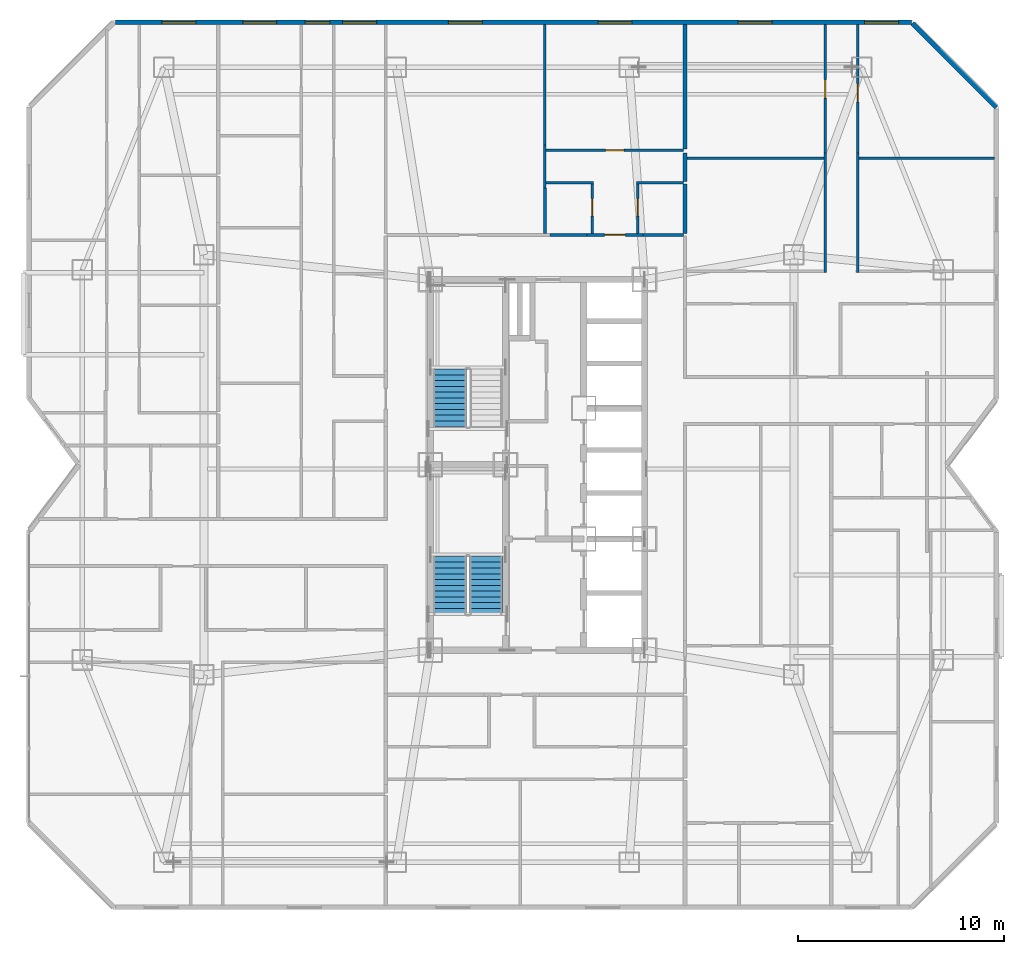
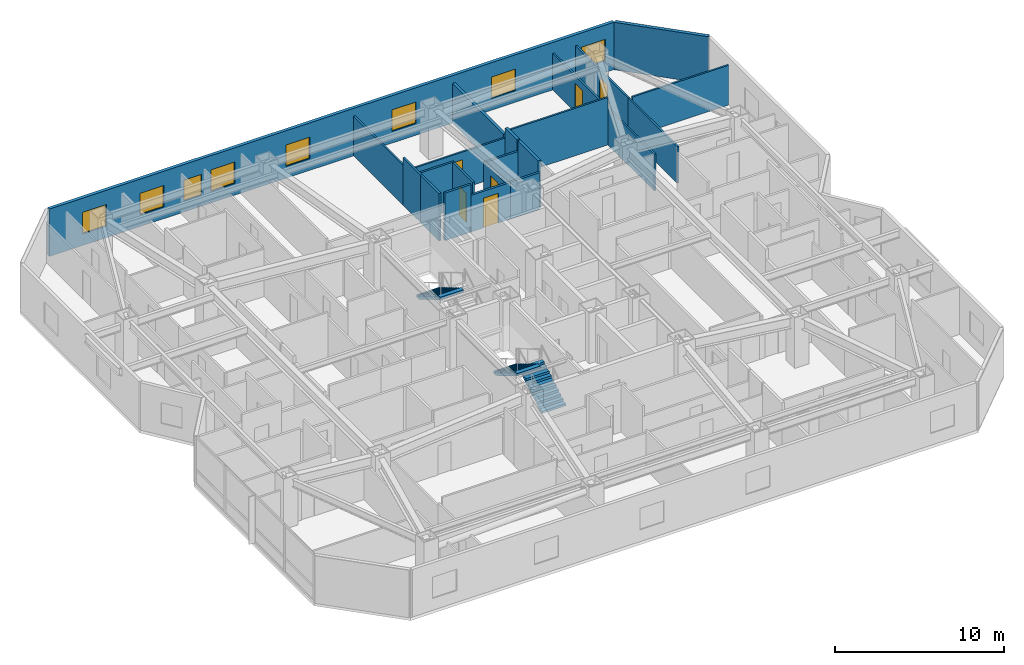
# One storey, part 16 of 19: 22 walls, 8 windows, 6 doors, 3 stair flights, 14 openings, 2 elements without a shape of their own.
"""IFC4 building model written with IfcOpenShell, lengths in metres."""

import ifcopenshell
import ifcopenshell.guid

model = None  # the IFC model being written
_history = None  # IfcOwnerHistory: only IFC2X3 demands one
_inside = {}  # id of a spatial element -> (the spatial element, [elements in it])
_under = {}  # id of a project, library or spatial element -> (it, [spatial elements below it])
_declared = {}  # id of a project -> (the project, [libraries it declares])
_typed = {}  # id of a type object -> (the type object, [elements of that type])
_made_of = {}  # id of a material, layer set ... -> (it, [elements and type objects made of it])


def new_model(schema):
    """Start an empty IFC model of exactly this schema.

    Asked for "IFC4X3", IfcOpenShell would pick the latest addendum, in which some entities
    have other attributes; the version numbers below select the first issue.
    IFC2X3 requires an IfcOwnerHistory on every rooted entity: one is made here for all.
    """
    global model, _history
    if schema == "IFC4X3":
        model = ifcopenshell.file(schema_version=(4, 3, 0, 0))
    else:
        model = ifcopenshell.file(schema=schema)
    _inside.clear()
    _under.clear()
    _declared.clear()
    _typed.clear()
    _made_of.clear()
    _history = None
    if model.schema == "IFC2X3":
        org = make("IfcOrganization", Name="unknown")
        user = make(
            "IfcPersonAndOrganization",
            ThePerson=make("IfcPerson", FamilyName="unknown"),
            TheOrganization=org,
        )
        app = make(
            "IfcApplication",
            ApplicationDeveloper=org,
            Version="unknown",
            ApplicationFullName="unknown",
            ApplicationIdentifier="unknown",
        )
        _history = make(
            "IfcOwnerHistory",
            OwningUser=user,
            OwningApplication=app,
            ChangeAction="ADDED",
            CreationDate=0,
        )
    return model


def make(cls, **values):
    """One entity of the class cls with the attributes given. An attribute that is None is left unset."""
    return model.create_entity(
        cls, **{name: value for name, value in values.items() if value is not None}
    )


def rooted(cls, **values):
    """An entity with a GlobalId (a new one), such as an element, a storey or a relation."""
    return make(cls, GlobalId=ifcopenshell.guid.new(), OwnerHistory=_history, **values)


def si_unit(unit_type, name, prefix=None):
    """IfcSIUnit, for example si_unit("LENGTHUNIT", "METRE", prefix="MILLI")."""
    return make("IfcSIUnit", UnitType=unit_type, Prefix=prefix, Name=name)


def assignment(units):
    """IfcUnitAssignment: the units of a project."""
    return None if units is None else make("IfcUnitAssignment", Units=units)


def point(xyz):
    """IfcCartesianPoint."""
    return None if xyz is None else make("IfcCartesianPoint", Coordinates=xyz)


def direction(xyz):
    """IfcDirection."""
    return None if xyz is None else make("IfcDirection", DirectionRatios=xyz)


def frame(location, z_axis=None, x_axis=None):
    """IfcAxis2Placement3D, a coordinate frame: its origin and axes. An axis left out is left unset."""
    return make(
        "IfcAxis2Placement3D",
        Location=point(location),
        Axis=direction(z_axis),
        RefDirection=direction(x_axis),
    )


def frame_2d(location, x_axis=None):
    """IfcAxis2Placement2D, a coordinate frame in the plane: its origin and x axis."""
    return make(
        "IfcAxis2Placement2D", Location=point(location), RefDirection=direction(x_axis)
    )


def origin():
    """The frame at (0, 0, 0) with its axes left unset."""
    return frame((0.0, 0.0, 0.0))


def place(relative_to, where):
    """IfcLocalPlacement: puts the frame where relative to a parent placement (None: the world)."""
    return make(
        "IfcLocalPlacement", PlacementRelTo=relative_to, RelativePlacement=where
    )


def context(
    kind, dimensions, precision=None, world=None, true_north=None, identifier=None
):
    """IfcGeometricRepresentationContext, for example the 3D "Model" context."""
    return make(
        "IfcGeometricRepresentationContext",
        ContextIdentifier=identifier,
        ContextType=kind,
        CoordinateSpaceDimension=dimensions,
        Precision=precision,
        WorldCoordinateSystem=world,
        TrueNorth=true_north,
    )


def subcontext(parent, identifier, kind, view, scale=None):
    """IfcGeometricRepresentationSubContext, for example "Body" below "Model"."""
    return make(
        "IfcGeometricRepresentationSubContext",
        ContextIdentifier=identifier,
        ContextType=kind,
        ParentContext=parent,
        TargetScale=scale,
        TargetView=view,
    )


def project(units=None, contexts=None):
    """IfcProject with its units and contexts."""
    return rooted(
        "IfcProject",
        Name="project",
        RepresentationContexts=contexts,
        UnitsInContext=assignment(units),
    )


def spatial(cls, under=None, at=None, **own):
    """A site, building, storey or space (cls), placed at a placement, below another one or the project."""
    s = rooted(cls, ObjectPlacement=at, **own)
    if under is not None:
        _under.setdefault(under.id(), (under, []))[1].append(s)
    return s


def polyline(points):
    """IfcPolyline through the points."""
    return make("IfcPolyline", Points=[point(p) for p in points])


def profile(cls, at=None, kind="AREA", **sizes):
    """A parametric profile (cls). Its sizes go by their IFC names, for example OverallWidth=200.0."""
    return make(cls, ProfileType=kind, Position=at, **sizes)


def rectangle(**sizes):
    """IfcRectangleProfileDef."""
    return profile("IfcRectangleProfileDef", **sizes)


def outline(outer, holes=None, kind="AREA"):
    """IfcArbitraryClosedProfileDef: a profile drawn as a closed curve; with holes, ...WithVoids."""
    if holes is None:
        return make("IfcArbitraryClosedProfileDef", ProfileType=kind, OuterCurve=outer)
    return make(
        "IfcArbitraryProfileDefWithVoids",
        ProfileType=kind,
        OuterCurve=outer,
        InnerCurves=holes,
    )


def extrude(swept, where, along, depth):
    """IfcExtrudedAreaSolid: the profile swept, set in the frame where, extruded along a direction by depth."""
    return make(
        "IfcExtrudedAreaSolid",
        SweptArea=swept,
        Position=where,
        ExtrudedDirection=direction(along),
        Depth=depth,
    )


def shape(context_of_items, identifier, shape_type, items):
    """IfcShapeRepresentation: the items that make up one representation, for example the "Body"."""
    return make(
        "IfcShapeRepresentation",
        ContextOfItems=context_of_items,
        RepresentationIdentifier=identifier,
        RepresentationType=shape_type,
        Items=items,
    )


def material(Name=None, Category=None):
    """IfcMaterial."""
    return make("IfcMaterial", Name=Name, Category=Category)


def layer(
    of_material, thickness, ventilated=None, Name=None, Category=None, Priority=None
):
    """IfcMaterialLayer: one layer of a wall or slab, of a material (None: an air gap)."""
    return make(
        "IfcMaterialLayer",
        Material=of_material,
        LayerThickness=thickness,
        IsVentilated=ventilated,
        Name=Name,
        Category=Category,
        Priority=Priority,
    )


def layer_set(layers, Name=None):
    """IfcMaterialLayerSet."""
    return make("IfcMaterialLayerSet", MaterialLayers=layers, LayerSetName=Name)


def made_of(thing, what):
    """Note that an element or type object is made of a material, layer set ...; save() writes the relation."""
    if what is not None:
        _made_of.setdefault(what.id(), (what, []))[1].append(thing)
    return thing


def type_object(cls, material=None, **own):
    """A type object (cls), such as IfcWallType, which elements share."""
    return made_of(rooted(cls, **own), material)


def element(
    cls,
    number,
    at=None,
    inside=None,
    cuts=None,
    type_object=None,
    material=None,
    context=None,
    identifier="Body",
    shape_type=None,
    held_by="IfcProductDefinitionShape",
    body=None,
    shapes=None,
    **own,
):
    """One element of the class cls, such as IfcWall. Its Tag is "e" and its number.

    at: its placement. inside: the storey or other place that contains it. cuts: it is an
    opening in that element (IfcRelVoidsElement). A single representation is given by context,
    identifier, shape_type and body (its items); several are given by shapes. held_by: the class
    of the entity that holds the representations. save() writes the other relations.
    """
    e = rooted(cls, Tag="e%d" % number, ObjectPlacement=at, **own)
    if body is not None:
        shapes = [shape(context, identifier, shape_type, body)]
    if shapes is not None:
        e.Representation = make(held_by, Representations=shapes)
    if inside is not None:
        _inside.setdefault(inside.id(), (inside, []))[1].append(e)
    if cuts is not None:
        rooted(
            "IfcRelVoidsElement", RelatingBuildingElement=cuts, RelatedOpeningElement=e
        )
    if type_object is not None:
        _typed.setdefault(type_object.id(), (type_object, []))[1].append(e)
    return made_of(e, material)


def fill(opening, filler):
    """IfcRelFillsElement: the door or window that sits in an opening."""
    return rooted(
        "IfcRelFillsElement",
        RelatingOpeningElement=opening,
        RelatedBuildingElement=filler,
    )


def aggregate(whole, parts):
    """IfcRelAggregates: a whole, such as a stair, and the parts it consists of."""
    return rooted("IfcRelAggregates", RelatingObject=whole, RelatedObjects=parts)


def save(model, path):
    """Write the relations noted so far, then the file.

    IfcRelAggregates (storeys below a building ...), IfcRelContainedInSpatialStructure (elements
    in a storey), IfcRelDefinesByType, IfcRelAssociatesMaterial and IfcRelDeclares: one each for
    every whole, place, type object, material and project.
    """
    for whole, parts in _under.values():
        aggregate(whole, parts)
    for where, things in _inside.values():
        rooted(
            "IfcRelContainedInSpatialStructure",
            RelatedElements=things,
            RelatingStructure=where,
        )
    for kind, things in _typed.values():
        rooted("IfcRelDefinesByType", RelatedObjects=things, RelatingType=kind)
    for what, things in _made_of.values():
        rooted("IfcRelAssociatesMaterial", RelatedObjects=things, RelatingMaterial=what)
    for by, libraries in _declared.values():
        rooted("IfcRelDeclares", RelatingContext=by, RelatedDefinitions=libraries)
    model.write(path)


model = new_model("IFC4")

# Units and contexts
model_context = context("Model", 3, precision=1e-05, world=origin(), true_north=direction((0.0, 1.0)))
body_context = subcontext(model_context, "Body", "Model", "MODEL_VIEW")
ifc_project = project(units=[si_unit("LENGTHUNIT", "METRE"), si_unit("AREAUNIT", "SQUARE_METRE"), si_unit("VOLUMEUNIT", "CUBIC_METRE"), si_unit("PLANEANGLEUNIT", "RADIAN"), si_unit("MASSUNIT", "GRAM", prefix="KILO")], contexts=[model_context])

# Site, building, storey
site_placement = place(None, origin())
site = spatial("IfcSite", under=ifc_project, at=site_placement, CompositionType="ELEMENT")
building_placement = place(site_placement, origin())
building = spatial("IfcBuilding", under=site, at=building_placement, Name="Khamvora Tower", CompositionType="ELEMENT")
storey_placement = place(building_placement, frame((0.0, 0.0, 120.14990234375)))
storey = spatial("IfcBuildingStorey", under=building, at=storey_placement, Name="L30", CompositionType="ELEMENT", Elevation=120.14990234375)

# Wall, opening, door
ifc_material_1 = material(Name="Fire-Rated Drywall and Steel Stud", Category="steel")
ifc_layer_1 = layer(ifc_material_1, 0.14990234375)
ifc_layer_set_1 = layer_set([ifc_layer_1], Name="Fire-Rated Drywall and Steel Stud")
wall_type_1 = type_object("IfcWallType", Name="WAL-CORR-150", PredefinedType="STANDARD", material=ifc_layer_set_1)
wall_1_placement = place(storey_placement, frame((36.615966796875, 39.1650390625, 0.0), z_axis=(0.0, 0.0, 1.0), x_axis=(1.0, 0.0, 0.0)))
wall_1 = element("IfcWall", 1, at=wall_1_placement, inside=storey, type_object=wall_type_1, Name="L30 interior partition wall 027", PredefinedType="STANDARD", context=body_context, shape_type="SweptSolid", body=[
    extrude(rectangle(XDim=2.697998046875, YDim=0.14990234375, at=frame_2d((1.34912109375, 0.0))), origin(), (0.0, 0.0, 1.0), 2.647216796875),
])
opening_1_placement = place(wall_1_placement, frame((0.84912109375, 0.0, 0.0)))
opening_1 = element("IfcOpeningElement", 2, at=opening_1_placement, cuts=wall_1, Name="Opening D-U1", PredefinedType="OPENING", context=body_context, shape_type="SweptSolid", body=[
    extrude(rectangle(XDim=1.0, YDim=2.14990234375, at=frame_2d((0.5, 1.074951171875))), frame((0.0, 0.0849609375, 0.0), z_axis=(0.0, -1.0, 0.0), x_axis=(1.0, 0.0, 0.0)), (0.0, 0.0, 1.0), 0.169921875),
])
ifc_material_2 = material(Name="Powder-Coated Steel and Hardwood Leaf", Category="steel")
door_type_1 = type_object("IfcDoorType", Name="DOR-UNIT-1000", OperationType="NOTDEFINED", PredefinedType="DOOR", material=ifc_material_2)
door_1_placement = place(opening_1_placement, origin())
door_1 = element("IfcDoor", 3, at=door_1_placement, inside=storey, type_object=door_type_1, Name="L30 interior door COR-30NAH", OperationType="SINGLE_SWING_RIGHT", OverallHeight=2.14990234375, OverallWidth=1.0, PredefinedType="DOOR", context=body_context, shape_type="SweptSolid", body=[
    extrude(rectangle(XDim=1.0, YDim=2.14990234375, at=frame_2d((0.5, 1.074951171875))), frame((0.0, 0.02490234375, 0.0), z_axis=(0.0, -1.0, 0.0), x_axis=(1.0, 0.0, 0.0)), (0.0, 0.0, 1.0), 0.050048828125),
])
fill(opening_1, door_1)

# Walls
wall_2_placement = place(storey_placement, frame((39.31396484375, 39.1650390625, 0.0), z_axis=(0.0, 0.0, 1.0), x_axis=(1.0, 0.0, 0.0)))
element("IfcWall", 4, at=wall_2_placement, inside=storey, type_object=wall_type_1, Name="L30 interior partition wall 028", PredefinedType="STANDARD", context=body_context, shape_type="SweptSolid", body=[
    extrude(rectangle(XDim=1.986083984375, YDim=0.14990234375, at=frame_2d((0.9931640625, 0.0))), origin(), (0.0, 0.0, 1.0), 2.647216796875),
])
wall_3_placement = place(storey_placement, frame((34.81396484375, 39.1650390625, 0.0), z_axis=(0.0, 0.0, 1.0), x_axis=(1.0, 0.0, 0.0)))
element("IfcWall", 5, at=wall_3_placement, inside=storey, type_object=wall_type_1, Name="L30 interior partition wall 029", PredefinedType="STANDARD", context=body_context, shape_type="SweptSolid", body=[
    extrude(rectangle(XDim=1.802001953125, YDim=0.14990234375, at=frame_2d((0.90087890625, 0.0))), origin(), (0.0, 0.0, 1.0), 3.43017578125),
])
ifc_material_3 = material(Name="Acoustic Double-Stud Fire Wall", Category="gypsum")
ifc_layer_2 = layer(ifc_material_3, 0.179931640625)
ifc_layer_set_2 = layer_set([ifc_layer_2], Name="Acoustic Double-Stud Fire Wall")
wall_type_2 = type_object("IfcWallType", Name="WAL-CORR-180", PredefinedType="STANDARD", material=ifc_layer_set_2)
wall_4_placement = place(storey_placement, frame((41.364990234375, 43.133056640625, 0.0), z_axis=(0.0, 0.0, 1.0), x_axis=(0.0, -1.0, 0.0)))
element("IfcWall", 6, at=wall_4_placement, inside=storey, type_object=wall_type_2, Name="L30 interior partition wall 115", PredefinedType="STANDARD", context=body_context, shape_type="SweptSolid", body=[
    extrude(rectangle(XDim=1.373046875, YDim=0.179931640625, at=frame_2d((0.6865234375, 0.0))), origin(), (0.0, 0.0, 1.0), 3.43017578125),
])
wall_5_placement = place(storey_placement, frame((41.364990234375, 41.6298828125, 0.0), z_axis=(0.0, 0.0, 1.0), x_axis=(0.0, -1.0, 0.0)))
element("IfcWall", 7, at=wall_5_placement, inside=storey, type_object=wall_type_2, Name="L30 interior partition wall 116", PredefinedType="STANDARD", context=body_context, shape_type="SweptSolid", body=[
    extrude(rectangle(XDim=2.39990234375, YDim=0.179931640625, at=frame_2d((1.199951171875, 0.0))), origin(), (0.0, 0.0, 1.0), 3.43017578125),
])
wall_6_placement = place(storey_placement, frame((41.364990234375, 49.387939453125, 0.0), z_axis=(0.0, 0.0, 1.0), x_axis=(0.0, -1.0, 0.0)))
element("IfcWall", 8, at=wall_6_placement, inside=storey, type_object=wall_type_2, Name="L30 interior partition wall 117", PredefinedType="STANDARD", context=body_context, shape_type="SweptSolid", body=[
    extrude(rectangle(XDim=6.0478515625, YDim=0.179931640625, at=frame_2d((3.02392578125, 0.0))), origin(), (0.0, 0.0, 1.0), 2.8759765625),
])

# Wall, openings, windows
ifc_material_4 = material(Name="Precast concrete C40/50", Category="concrete")
ifc_layer_3 = layer(ifc_material_4, 0.219970703125)
ifc_layer_set_3 = layer_set([ifc_layer_3], Name="Precast concrete C40/50")
wall_type_3 = type_object("IfcWallType", Name="WAL-EXT-220", PredefinedType="STANDARD", material=ifc_layer_set_3)
wall_7_placement = place(storey_placement, frame((13.715087890625, 49.489990234375, 0.0), z_axis=(0.0, 0.0, 1.0), x_axis=(1.0, 0.0, 0.0)))
wall_7 = element("IfcWall", 9, at=wall_7_placement, inside=storey, type_object=wall_type_3, Name="L30 exterior facade wall 07.1", PredefinedType="STANDARD", context=body_context, shape_type="SweptSolid", body=[
    extrude(rectangle(XDim=38.638916015625, YDim=0.219970703125, at=frame_2d((19.3193359375, 0.0))), origin(), (0.0, 0.0, 1.0), 3.43017578125),
])
opening_2_placement = place(wall_7_placement, frame((16.159912109375, 0.0, 0.85009765625)))
opening_2 = element("IfcOpeningElement", 10, at=opening_2_placement, cuts=wall_7, Name="Opening WN-06", PredefinedType="OPENING", context=body_context, shape_type="SweptSolid", body=[
    extrude(rectangle(XDim=1.64990234375, YDim=1.550048828125, at=frame_2d((0.824951171875, 0.77490234375))), frame((0.0, 0.119873046875, 0.0), z_axis=(0.0, -1.0, 0.0), x_axis=(1.0, 0.0, 0.0)), (0.0, 0.0, 1.0), 0.239990234375),
])
opening_3_placement = place(wall_7_placement, frame((2.242919921875, 0.0, 0.85009765625)))
opening_3 = element("IfcOpeningElement", 11, at=opening_3_placement, cuts=wall_7, Name="Opening WN-06", PredefinedType="OPENING", context=body_context, shape_type="SweptSolid", body=[
    extrude(rectangle(XDim=1.64990234375, YDim=1.550048828125, at=frame_2d((0.824951171875, 0.77490234375))), frame((0.0, 0.119873046875, 0.0), z_axis=(0.0, -1.0, 0.0), x_axis=(1.0, 0.0, 0.0)), (0.0, 0.0, 1.0), 0.239990234375),
])
opening_4_placement = place(wall_7_placement, frame((11.030029296875, 0.0, 0.85009765625)))
opening_4 = element("IfcOpeningElement", 12, at=opening_4_placement, cuts=wall_7, Name="Opening WN-06", PredefinedType="OPENING", context=body_context, shape_type="SweptSolid", body=[
    extrude(rectangle(XDim=1.64990234375, YDim=1.550048828125, at=frame_2d((0.824951171875, 0.77490234375))), frame((0.0, 0.119873046875, 0.0), z_axis=(0.0, -1.0, 0.0), x_axis=(1.0, 0.0, 0.0)), (0.0, 0.0, 1.0), 0.239990234375),
])
opening_5_placement = place(wall_7_placement, frame((9.199951171875, 0.0, 0.800048828125)))
opening_5 = element("IfcOpeningElement", 13, at=opening_5_placement, cuts=wall_7, Name="Opening WN-03", PredefinedType="OPENING", context=body_context, shape_type="SweptSolid", body=[
    extrude(rectangle(XDim=1.199951171875, YDim=1.5, at=frame_2d((0.60009765625, 0.75))), frame((0.0, 0.119873046875, 0.0), z_axis=(0.0, -1.0, 0.0), x_axis=(1.0, 0.0, 0.0)), (0.0, 0.0, 1.0), 0.239990234375),
])
opening_6_placement = place(wall_7_placement, frame((6.175048828125, 0.0, 0.85009765625)))
opening_6 = element("IfcOpeningElement", 14, at=opening_6_placement, cuts=wall_7, Name="Opening WN-06", PredefinedType="OPENING", context=body_context, shape_type="SweptSolid", body=[
    extrude(rectangle(XDim=1.64990234375, YDim=1.550048828125, at=frame_2d((0.824951171875, 0.77490234375))), frame((0.0, 0.119873046875, 0.0), z_axis=(0.0, -1.0, 0.0), x_axis=(1.0, 0.0, 0.0)), (0.0, 0.0, 1.0), 0.239990234375),
])
opening_7_placement = place(wall_7_placement, frame((23.425048828125, 0.0, 0.85009765625)))
opening_7 = element("IfcOpeningElement", 15, at=opening_7_placement, cuts=wall_7, Name="Opening WN-06", PredefinedType="OPENING", context=body_context, shape_type="SweptSolid", body=[
    extrude(rectangle(XDim=1.64990234375, YDim=1.550048828125, at=frame_2d((0.824951171875, 0.77490234375))), frame((0.0, 0.119873046875, 0.0), z_axis=(0.0, -1.0, 0.0), x_axis=(1.0, 0.0, 0.0)), (0.0, 0.0, 1.0), 0.239990234375),
])
opening_8_placement = place(wall_7_placement, frame((30.22998046875, 0.0, 0.85009765625)))
opening_8 = element("IfcOpeningElement", 16, at=opening_8_placement, cuts=wall_7, Name="Opening WN-06", PredefinedType="OPENING", context=body_context, shape_type="SweptSolid", body=[
    extrude(rectangle(XDim=1.64990234375, YDim=1.550048828125, at=frame_2d((0.824951171875, 0.77490234375))), frame((0.0, 0.119873046875, 0.0), z_axis=(0.0, -1.0, 0.0), x_axis=(1.0, 0.0, 0.0)), (0.0, 0.0, 1.0), 0.239990234375),
])
opening_9_placement = place(wall_7_placement, frame((36.366943359375, 0.0, 0.85009765625)))
opening_9 = element("IfcOpeningElement", 17, at=opening_9_placement, cuts=wall_7, Name="Opening WN-06", PredefinedType="OPENING", context=body_context, shape_type="SweptSolid", body=[
    extrude(rectangle(XDim=1.64990234375, YDim=1.550048828125, at=frame_2d((0.824951171875, 0.77490234375))), frame((0.0, 0.119873046875, 0.0), z_axis=(0.0, -1.0, 0.0), x_axis=(1.0, 0.0, 0.0)), (0.0, 0.0, 1.0), 0.239990234375),
])
ifc_material_5 = material(Name="Low-E Laminated Double Glazing", Category="glass")
window_type_1 = type_object("IfcWindowType", Name="WIN-VIS-1200x1500", PartitioningType="SINGLE_PANEL", PredefinedType="WINDOW", material=ifc_material_5)
window_1_placement = place(opening_5_placement, origin())
window_1 = element("IfcWindow", 18, at=window_1_placement, inside=storey, type_object=window_type_1, Name="L30 vision window 07.1.04", OverallHeight=1.5, OverallWidth=1.199951171875, PartitioningType="SINGLE_PANEL", PredefinedType="WINDOW", context=body_context, shape_type="SweptSolid", body=[
    extrude(rectangle(XDim=1.199951171875, YDim=1.5, at=frame_2d((0.60009765625, 0.75))), frame((0.0, 0.030029296875, 0.0), z_axis=(0.0, -1.0, 0.0), x_axis=(1.0, 0.0, 0.0)), (0.0, 0.0, 1.0), 0.06005859375),
])
fill(opening_5, window_1)
window_type_2 = type_object("IfcWindowType", Name="WIN-VIS-1650x1550", PartitioningType="SINGLE_PANEL", PredefinedType="WINDOW", material=ifc_material_5)
window_2_placement = place(opening_2_placement, origin())
window_2 = element("IfcWindow", 19, at=window_2_placement, inside=storey, type_object=window_type_2, Name="L30 vision window 07.1.01", OverallHeight=1.550048828125, OverallWidth=1.64990234375, PartitioningType="SINGLE_PANEL", PredefinedType="WINDOW", context=body_context, shape_type="SweptSolid", body=[
    extrude(rectangle(XDim=1.64990234375, YDim=1.550048828125, at=frame_2d((0.824951171875, 0.77490234375))), frame((0.0, 0.030029296875, 0.0), z_axis=(0.0, -1.0, 0.0), x_axis=(1.0, 0.0, 0.0)), (0.0, 0.0, 1.0), 0.06005859375),
])
fill(opening_2, window_2)
window_3_placement = place(opening_3_placement, origin())
window_3 = element("IfcWindow", 20, at=window_3_placement, inside=storey, type_object=window_type_2, Name="L30 vision window 07.1.02", OverallHeight=1.550048828125, OverallWidth=1.64990234375, PartitioningType="SINGLE_PANEL", PredefinedType="WINDOW", context=body_context, shape_type="SweptSolid", body=[
    extrude(rectangle(XDim=1.64990234375, YDim=1.550048828125, at=frame_2d((0.824951171875, 0.77490234375))), frame((0.0, 0.030029296875, 0.0), z_axis=(0.0, -1.0, 0.0), x_axis=(1.0, 0.0, 0.0)), (0.0, 0.0, 1.0), 0.06005859375),
])
fill(opening_3, window_3)
window_4_placement = place(opening_4_placement, origin())
window_4 = element("IfcWindow", 21, at=window_4_placement, inside=storey, type_object=window_type_2, Name="L30 vision window 07.1.03", OverallHeight=1.550048828125, OverallWidth=1.64990234375, PartitioningType="SINGLE_PANEL", PredefinedType="WINDOW", context=body_context, shape_type="SweptSolid", body=[
    extrude(rectangle(XDim=1.64990234375, YDim=1.550048828125, at=frame_2d((0.824951171875, 0.77490234375))), frame((0.0, 0.030029296875, 0.0), z_axis=(0.0, -1.0, 0.0), x_axis=(1.0, 0.0, 0.0)), (0.0, 0.0, 1.0), 0.06005859375),
])
fill(opening_4, window_4)
window_5_placement = place(opening_6_placement, origin())
window_5 = element("IfcWindow", 22, at=window_5_placement, inside=storey, type_object=window_type_2, Name="L30 vision window 07.1.05", OverallHeight=1.550048828125, OverallWidth=1.64990234375, PartitioningType="SINGLE_PANEL", PredefinedType="WINDOW", context=body_context, shape_type="SweptSolid", body=[
    extrude(rectangle(XDim=1.64990234375, YDim=1.550048828125, at=frame_2d((0.824951171875, 0.77490234375))), frame((0.0, 0.030029296875, 0.0), z_axis=(0.0, -1.0, 0.0), x_axis=(1.0, 0.0, 0.0)), (0.0, 0.0, 1.0), 0.06005859375),
])
fill(opening_6, window_5)
window_6_placement = place(opening_7_placement, origin())
window_6 = element("IfcWindow", 23, at=window_6_placement, inside=storey, type_object=window_type_2, Name="L30 vision window 07.1.06", OverallHeight=1.550048828125, OverallWidth=1.64990234375, PartitioningType="SINGLE_PANEL", PredefinedType="WINDOW", context=body_context, shape_type="SweptSolid", body=[
    extrude(rectangle(XDim=1.64990234375, YDim=1.550048828125, at=frame_2d((0.824951171875, 0.77490234375))), frame((0.0, 0.030029296875, 0.0), z_axis=(0.0, -1.0, 0.0), x_axis=(1.0, 0.0, 0.0)), (0.0, 0.0, 1.0), 0.06005859375),
])
fill(opening_7, window_6)
window_7_placement = place(opening_8_placement, origin())
window_7 = element("IfcWindow", 24, at=window_7_placement, inside=storey, type_object=window_type_2, Name="L30 vision window 07.1.07", OverallHeight=1.550048828125, OverallWidth=1.64990234375, PartitioningType="SINGLE_PANEL", PredefinedType="WINDOW", context=body_context, shape_type="SweptSolid", body=[
    extrude(rectangle(XDim=1.64990234375, YDim=1.550048828125, at=frame_2d((0.824951171875, 0.77490234375))), frame((0.0, 0.030029296875, 0.0), z_axis=(0.0, -1.0, 0.0), x_axis=(1.0, 0.0, 0.0)), (0.0, 0.0, 1.0), 0.06005859375),
])
fill(opening_8, window_7)
window_8_placement = place(opening_9_placement, origin())
window_8 = element("IfcWindow", 25, at=window_8_placement, inside=storey, type_object=window_type_2, Name="L30 vision window 07.1.08", OverallHeight=1.550048828125, OverallWidth=1.64990234375, PartitioningType="SINGLE_PANEL", PredefinedType="WINDOW", context=body_context, shape_type="SweptSolid", body=[
    extrude(rectangle(XDim=1.64990234375, YDim=1.550048828125, at=frame_2d((0.824951171875, 0.77490234375))), frame((0.0, 0.030029296875, 0.0), z_axis=(0.0, -1.0, 0.0), x_axis=(1.0, 0.0, 0.0)), (0.0, 0.0, 1.0), 0.06005859375),
])
fill(opening_9, window_8)

# Walls
wall_8_placement = place(storey_placement, frame((52.402099609375, 49.44189453125, 0.0), z_axis=(0.0, 0.0, 1.0), x_axis=(0.707106781187, -0.707106781187, 0.0)))
element("IfcWall", 26, at=wall_8_placement, inside=storey, type_object=wall_type_3, Name="L30 exterior facade wall 08.1", PredefinedType="STANDARD", context=body_context, shape_type="SweptSolid", body=[
    extrude(rectangle(XDim=5.78125, YDim=0.219970703125, at=frame_2d((2.890625, 0.0))), origin(), (0.0, 0.0, 1.0), 3.43017578125),
])
ifc_material_6 = material(Name="Gypsum Plasterboard Partition", Category="gypsum")
ifc_layer_4 = layer(ifc_material_6, 0.1201171875)
ifc_layer_set_4 = layer_set([ifc_layer_4], Name="Gypsum Plasterboard Partition")
wall_type_4 = type_object("IfcWallType", Name="WAL-PART-120", PredefinedType="PARTITIONING", material=ifc_layer_set_4)
wall_9_placement = place(storey_placement, frame((34.56494140625, 43.52392578125, 0.0), z_axis=(0.0, 0.0, 1.0), x_axis=(0.0, -1.0, 0.0)))
element("IfcWall", 27, at=wall_9_placement, inside=storey, type_object=wall_type_4, Name="L30 interior partition wall 043", PredefinedType="PARTITIONING", context=body_context, shape_type="SweptSolid", body=[
    extrude(rectangle(XDim=2.077880859375, YDim=0.1201171875, at=frame_2d((1.0390625, 0.0))), origin(), (0.0, 0.0, 1.0), 3.43017578125),
])
wall_10_placement = place(storey_placement, frame((34.56494140625, 49.387939453125, 0.0), z_axis=(0.0, 0.0, 1.0), x_axis=(0.0, -1.0, 0.0)))
element("IfcWall", 28, at=wall_10_placement, inside=storey, type_object=wall_type_4, Name="L30 interior partition wall 045", PredefinedType="PARTITIONING", context=body_context, shape_type="SweptSolid", body=[
    extrude(rectangle(XDim=5.864013671875, YDim=0.1201171875, at=frame_2d((2.93212890625, 0.0))), origin(), (0.0, 0.0, 1.0), 2.8759765625),
])

# Wall, opening, door
wall_11_placement = place(storey_placement, frame((34.618896484375, 43.27490234375, 0.0), z_axis=(0.0, 0.0, 1.0), x_axis=(1.0, 0.0, 0.0)))
wall_11 = element("IfcWall", 29, at=wall_11_placement, inside=storey, type_object=wall_type_4, Name="L30 interior partition wall 114", PredefinedType="PARTITIONING", context=body_context, shape_type="SweptSolid", body=[
    extrude(rectangle(XDim=6.68115234375, YDim=0.1201171875, at=frame_2d((3.340576171875, 0.0))), origin(), (0.0, 0.0, 1.0), 2.647216796875),
])
opening_10_placement = place(wall_11_placement, frame((2.889892578125, 0.0, 0.0)))
opening_10 = element("IfcOpeningElement", 30, at=opening_10_placement, cuts=wall_11, Name="Opening D-RM1", PredefinedType="OPENING", context=body_context, shape_type="SweptSolid", body=[
    extrude(rectangle(XDim=0.89990234375, YDim=2.10009765625, at=frame_2d((0.449951171875, 1.050048828125))), frame((0.0, 0.070068359375, 0.0), z_axis=(0.0, -1.0, 0.0), x_axis=(1.0, 0.0, 0.0)), (0.0, 0.0, 1.0), 0.14013671875),
])
door_type_2 = type_object("IfcDoorType", Name="DOR-ROOM-900", OperationType="NOTDEFINED", PredefinedType="DOOR", material=ifc_material_2)
door_2_placement = place(opening_10_placement, origin())
door_2 = element("IfcDoor", 31, at=door_2_placement, inside=storey, type_object=door_type_2, Name="L30 interior door 30NAH-30NAR1", OperationType="SINGLE_SWING_LEFT", OverallHeight=2.10009765625, OverallWidth=0.89990234375, PredefinedType="DOOR", context=body_context, shape_type="SweptSolid", body=[
    extrude(rectangle(XDim=0.89990234375, YDim=2.10009765625, at=frame_2d((0.449951171875, 1.050048828125))), frame((0.0, 0.02490234375, 0.0), z_axis=(0.0, -1.0, 0.0), x_axis=(1.0, 0.0, 0.0)), (0.0, 0.0, 1.0), 0.050048828125),
])
fill(opening_10, door_2)

# Wall
wall_12_placement = place(storey_placement, frame((48.175048828125, 37.339111328125, 0.0), z_axis=(0.0, 0.0, 1.0), x_axis=(0.0, 1.0, 0.0)))
element("IfcWall", 32, at=wall_12_placement, inside=storey, type_object=wall_type_4, Name="L30 interior partition wall 147", PredefinedType="PARTITIONING", context=body_context, shape_type="SweptSolid", body=[
    extrude(rectangle(XDim=5.7939453125, YDim=0.1201171875, at=frame_2d((2.89697265625, 0.0))), origin(), (0.0, 0.0, 1.0), 2.647216796875),
])

# Wall, opening, door
wall_13_placement = place(storey_placement, frame((48.175048828125, 43.133056640625, 0.0), z_axis=(0.0, 0.0, 1.0), x_axis=(0.0, 1.0, 0.0)))
wall_13 = element("IfcWall", 33, at=wall_13_placement, inside=storey, type_object=wall_type_4, Name="L30 interior partition wall 148", PredefinedType="PARTITIONING", context=body_context, shape_type="SweptSolid", body=[
    extrude(rectangle(XDim=6.2548828125, YDim=0.1201171875, at=frame_2d((3.12744140625, 0.0))), origin(), (0.0, 0.0, 1.0), 2.647216796875),
])
opening_11_placement = place(wall_13_placement, frame((2.677001953125, 0.0, 0.0)))
opening_11 = element("IfcOpeningElement", 34, at=opening_11_placement, cuts=wall_13, Name="Opening D-RM1", PredefinedType="OPENING", context=body_context, shape_type="SweptSolid", body=[
    extrude(rectangle(XDim=0.89990234375, YDim=2.10009765625, at=frame_2d((0.449951171875, 1.050048828125))), frame((0.0, 0.070068359375, 0.0), z_axis=(0.0, -1.0, 0.0), x_axis=(1.0, 0.0, 0.0)), (0.0, 0.0, 1.0), 0.14013671875),
])
door_3_placement = place(opening_11_placement, origin())
door_3 = element("IfcDoor", 35, at=door_3_placement, inside=storey, type_object=door_type_2, Name="L30 interior door 30ECH-30ECR2", OperationType="SINGLE_SWING_RIGHT", OverallHeight=2.10009765625, OverallWidth=0.89990234375, PredefinedType="DOOR", context=body_context, shape_type="SweptSolid", body=[
    extrude(rectangle(XDim=0.89990234375, YDim=2.10009765625, at=frame_2d((0.449951171875, 1.050048828125))), frame((0.0, 0.02490234375, 0.0), z_axis=(0.0, -1.0, 0.0), x_axis=(1.0, 0.0, 0.0)), (0.0, 0.0, 1.0), 0.050048828125),
])
fill(opening_11, door_3)

# Wall
wall_14_placement = place(storey_placement, frame((49.7451171875, 43.133056640625, 0.0), z_axis=(0.0, 0.0, 1.0), x_axis=(0.0, -1.0, 0.0)))
element("IfcWall", 36, at=wall_14_placement, inside=storey, type_object=wall_type_4, Name="L30 interior partition wall 149", PredefinedType="PARTITIONING", context=body_context, shape_type="SweptSolid", body=[
    extrude(rectangle(XDim=5.7939453125, YDim=0.1201171875, at=frame_2d((2.89697265625, 0.0))), origin(), (0.0, 0.0, 1.0), 2.647216796875),
])

# Wall, opening, door
wall_15_placement = place(storey_placement, frame((49.7451171875, 49.387939453125, 0.0), z_axis=(0.0, 0.0, 1.0), x_axis=(0.0, -1.0, 0.0)))
wall_15 = element("IfcWall", 37, at=wall_15_placement, inside=storey, type_object=wall_type_4, Name="L30 interior partition wall 151", PredefinedType="PARTITIONING", context=body_context, shape_type="SweptSolid", body=[
    extrude(rectangle(XDim=6.2548828125, YDim=0.1201171875, at=frame_2d((3.12744140625, 0.0))), origin(), (0.0, 0.0, 1.0), 2.647216796875),
])
opening_12_placement = place(wall_15_placement, frame((2.8779296875, 0.0, 0.0)))
opening_12 = element("IfcOpeningElement", 38, at=opening_12_placement, cuts=wall_15, Name="Opening D-RM1", PredefinedType="OPENING", context=body_context, shape_type="SweptSolid", body=[
    extrude(rectangle(XDim=0.89990234375, YDim=2.10009765625, at=frame_2d((0.449951171875, 1.050048828125))), frame((0.0, 0.070068359375, 0.0), z_axis=(0.0, -1.0, 0.0), x_axis=(1.0, 0.0, 0.0)), (0.0, 0.0, 1.0), 0.14013671875),
])
door_4_placement = place(opening_12_placement, origin())
door_4 = element("IfcDoor", 39, at=door_4_placement, inside=storey, type_object=door_type_2, Name="L30 interior door 30ECH-30ECR4", OperationType="SINGLE_SWING_RIGHT", OverallHeight=2.10009765625, OverallWidth=0.89990234375, PredefinedType="DOOR", context=body_context, shape_type="SweptSolid", body=[
    extrude(rectangle(XDim=0.89990234375, YDim=2.10009765625, at=frame_2d((0.449951171875, 1.050048828125))), frame((0.0, 0.02490234375, 0.0), z_axis=(0.0, -1.0, 0.0), x_axis=(1.0, 0.0, 0.0)), (0.0, 0.0, 1.0), 0.050048828125),
])
fill(opening_12, door_4)

# Walls
wall_16_placement = place(storey_placement, frame((41.447021484375, 42.884033203125, 0.0), z_axis=(0.0, 0.0, 1.0), x_axis=(1.0, 0.0, 0.0)))
element("IfcWall", 40, at=wall_16_placement, inside=storey, type_object=wall_type_4, Name="L30 interior partition wall 152", PredefinedType="PARTITIONING", context=body_context, shape_type="SweptSolid", body=[
    extrude(rectangle(XDim=6.674072265625, YDim=0.1201171875, at=frame_2d((3.3369140625, 0.0))), origin(), (0.0, 0.0, 1.0), 3.43017578125),
])
wall_17_placement = place(storey_placement, frame((49.799072265625, 42.884033203125, 0.0), z_axis=(0.0, 0.0, 1.0), x_axis=(1.0, 0.0, 0.0)))
element("IfcWall", 41, at=wall_17_placement, inside=storey, type_object=wall_type_4, Name="L30 interior partition wall 153", PredefinedType="PARTITIONING", context=body_context, shape_type="SweptSolid", body=[
    extrude(rectangle(XDim=6.5888671875, YDim=0.1201171875, at=frame_2d((3.29443359375, 0.0))), origin(), (0.0, 0.0, 1.0), 2.8759765625),
])
ifc_material_7 = material(Name="Moisture-Resistant Plasterboard Partition", Category="gypsum")
ifc_layer_5 = layer(ifc_material_7, 0.135009765625)
ifc_layer_set_5 = layer_set([ifc_layer_5], Name="Moisture-Resistant Plasterboard Partition")
wall_type_5 = type_object("IfcWallType", Name="WAL-WET-135", PredefinedType="PARTITIONING", material=ifc_layer_set_5)
wall_18_placement = place(storey_placement, frame((34.56494140625, 41.446044921875, 0.0), z_axis=(0.0, 0.0, 1.0), x_axis=(0.0, -1.0, 0.0)))
element("IfcWall", 42, at=wall_18_placement, inside=storey, type_object=wall_type_5, Name="L30 interior partition wall 044", PredefinedType="PARTITIONING", context=body_context, shape_type="SweptSolid", body=[
    extrude(rectangle(XDim=2.214111328125, YDim=0.135009765625, at=frame_2d((1.10693359375, 0.0))), origin(), (0.0, 0.0, 1.0), 3.43017578125),
])
wall_19_placement = place(storey_placement, frame((41.300048828125, 41.695068359375, 0.0), z_axis=(0.0, 0.0, 1.0), x_axis=(-1.0, 0.0, 0.0)))
element("IfcWall", 43, at=wall_19_placement, inside=storey, type_object=wall_type_5, Name="L30 interior partition wall 110", PredefinedType="PARTITIONING", context=body_context, shape_type="SweptSolid", body=[
    extrude(rectangle(XDim=2.300048828125, YDim=0.135009765625, at=frame_2d((1.14990234375, 0.0))), origin(), (0.0, 0.0, 1.0), 2.647216796875),
])

# Wall, opening, door
wall_20_placement = place(storey_placement, frame((39.06494140625, 41.760009765625, 0.0), z_axis=(0.0, 0.0, 1.0), x_axis=(0.0, -1.0, 0.0)))
wall_20 = element("IfcWall", 44, at=wall_20_placement, inside=storey, type_object=wall_type_5, Name="L30 interior partition wall 111", PredefinedType="PARTITIONING", context=body_context, shape_type="SweptSolid", body=[
    extrude(rectangle(XDim=2.528076171875, YDim=0.135009765625, at=frame_2d((1.26416015625, 0.0))), origin(), (0.0, 0.0, 1.0), 2.647216796875),
])
opening_13_placement = place(wall_20_placement, frame((0.839111328125, 0.0, 0.0)))
opening_13 = element("IfcOpeningElement", 45, at=opening_13_placement, cuts=wall_20, Name="Opening D-WC1", PredefinedType="OPENING", context=body_context, shape_type="SweptSolid", body=[
    extrude(rectangle(XDim=0.85009765625, YDim=2.10009765625, at=frame_2d((0.425048828125, 1.050048828125))), frame((0.0, 0.077392578125, 0.0), z_axis=(0.0, -1.0, 0.0), x_axis=(1.0, 0.0, 0.0)), (0.0, 0.0, 1.0), 0.155029296875),
])
door_type_3 = type_object("IfcDoorType", Name="DOR-WET-850", OperationType="NOTDEFINED", PredefinedType="DOOR", material=ifc_material_2)
door_5_placement = place(opening_13_placement, origin())
door_5 = element("IfcDoor", 46, at=door_5_placement, inside=storey, type_object=door_type_3, Name="L30 interior door 30NAH-30NAB", OperationType="SINGLE_SWING_LEFT", OverallHeight=2.10009765625, OverallWidth=0.85009765625, PredefinedType="DOOR", context=body_context, shape_type="SweptSolid", body=[
    extrude(rectangle(XDim=0.85009765625, YDim=2.10009765625, at=frame_2d((0.425048828125, 1.050048828125))), frame((0.0, 0.02490234375, 0.0), z_axis=(0.0, -1.0, 0.0), x_axis=(1.0, 0.0, 0.0)), (0.0, 0.0, 1.0), 0.050048828125),
])
fill(opening_13, door_5)

wall_21_placement = place(storey_placement, frame((36.864990234375, 39.23193359375, 0.0), z_axis=(0.0, 0.0, 1.0), x_axis=(0.0, 1.0, 0.0)))
wall_21 = element("IfcWall", 47, at=wall_21_placement, inside=storey, type_object=wall_type_5, Name="L30 interior partition wall 112", PredefinedType="PARTITIONING", context=body_context, shape_type="SweptSolid", body=[
    extrude(rectangle(XDim=2.528076171875, YDim=0.135009765625, at=frame_2d((1.26416015625, 0.0))), origin(), (0.0, 0.0, 1.0), 3.43017578125),
])
opening_14_placement = place(wall_21_placement, frame((0.839111328125, 0.0, 0.0)))
opening_14 = element("IfcOpeningElement", 48, at=opening_14_placement, cuts=wall_21, Name="Opening D-RM2", PredefinedType="OPENING", context=body_context, shape_type="SweptSolid", body=[
    extrude(rectangle(XDim=0.85009765625, YDim=2.10009765625, at=frame_2d((0.425048828125, 1.050048828125))), frame((0.0, 0.077392578125, 0.0), z_axis=(0.0, -1.0, 0.0), x_axis=(1.0, 0.0, 0.0)), (0.0, 0.0, 1.0), 0.155029296875),
])
door_type_4 = type_object("IfcDoorType", Name="DOR-ROOM-850", OperationType="NOTDEFINED", PredefinedType="DOOR", material=ifc_material_2)
door_6_placement = place(opening_14_placement, origin())
door_6 = element("IfcDoor", 49, at=door_6_placement, inside=storey, type_object=door_type_4, Name="L30 interior door 30NAH-30NAK", OperationType="SINGLE_SWING_RIGHT", OverallHeight=2.10009765625, OverallWidth=0.85009765625, PredefinedType="DOOR", context=body_context, shape_type="SweptSolid", body=[
    extrude(rectangle(XDim=0.85009765625, YDim=2.10009765625, at=frame_2d((0.425048828125, 1.050048828125))), frame((0.0, 0.02490234375, 0.0), z_axis=(0.0, -1.0, 0.0), x_axis=(1.0, 0.0, 0.0)), (0.0, 0.0, 1.0), 0.050048828125),
])
fill(opening_14, door_6)

# Wall
wall_22_placement = place(storey_placement, frame((36.929931640625, 41.695068359375, 0.0), z_axis=(0.0, 0.0, 1.0), x_axis=(-1.0, 0.0, 0.0)))
element("IfcWall", 50, at=wall_22_placement, inside=storey, type_object=wall_type_5, Name="L30 interior partition wall 113", PredefinedType="PARTITIONING", context=body_context, shape_type="SweptSolid", body=[
    extrude(rectangle(XDim=2.31103515625, YDim=0.135009765625, at=frame_2d((1.155517578125, 0.0))), origin(), (0.0, 0.0, 1.0), 3.43017578125),
])

# Stair, stair flights
ifc_material_8 = material(Name="Concrete C40/50", Category="concrete")
stair_type_1 = type_object("IfcStairType", Name="STR-ST-01", PredefinedType="HALF_TURN_STAIR", material=ifc_material_8)
stair_1_placement = place(storey_placement, origin())
stair_1 = element("IfcStair", 51, at=stair_1_placement, inside=storey, type_object=stair_type_1, Name="L30 South Tower Exit Stair ST-01", PredefinedType="HALF_TURN_STAIR")
stair_flight_type_1 = type_object("IfcStairFlightType", Name="STF-ST-01", PredefinedType="STRAIGHT", material=ifc_material_8)
stair_flight_1_placement = place(storey_placement, frame((31.699951171875, 20.75, 0.0), z_axis=(0.0, 0.0, 1.0), x_axis=(0.0, 1.0, 0.0)))
stair_flight_1 = element("IfcStairFlight", 52, at=stair_flight_1_placement, type_object=stair_flight_type_1, Name="ST-01 flight 1", NumberOfRisers=11, NumberOfTreads=10, PredefinedType="STRAIGHT", RiserHeight=0.165909091, TreadLength=0.28, context=body_context, shape_type="SweptSolid", body=[
    extrude(outline(polyline([(0.0, 0.0), (0.0, 0.166015625), (0.280029296875, 0.166015625), (0.280029296875, 0.331787109375), (0.56005859375, 0.331787109375), (0.56005859375, 0.497802734375), (0.840087890625, 0.497802734375), (0.840087890625, 0.66357421875), (1.1201171875, 0.66357421875), (1.1201171875, 0.82958984375), (1.39990234375, 0.82958984375), (1.39990234375, 0.995361328125), (1.679931640625, 0.995361328125), (1.679931640625, 1.161376953125), (1.9599609375, 1.161376953125), (1.9599609375, 1.327392578125), (2.239990234375, 1.327392578125), (2.239990234375, 1.4931640625), (2.52001953125, 1.4931640625), (2.52001953125, 1.6591796875), (2.800048828125, 1.6591796875), (2.800048828125, 1.824951171875), (2.800048828125, 1.48486328125), (0.2939453125, 0.0), (0.0, 0.0)])), frame((0.0, 0.800048828125, 0.0), z_axis=(0.0, -1.0, 0.0), x_axis=(1.0, 0.0, 0.0)), (0.0, 0.0, 1.0), 1.60009765625),
])
stair_flight_2_placement = place(storey_placement, frame((29.949951171875, 23.550048828125, 1.8251953125), z_axis=(0.0, 0.0, 1.0), x_axis=(0.0, -1.0, 0.0)))
stair_flight_2 = element("IfcStairFlight", 53, at=stair_flight_2_placement, type_object=stair_flight_type_1, Name="ST-01 flight 2", NumberOfRisers=11, NumberOfTreads=10, PredefinedType="STRAIGHT", RiserHeight=0.165909091, TreadLength=0.28, context=body_context, shape_type="SweptSolid", body=[
    extrude(outline(polyline([(0.0, 0.0), (0.0, 0.166015625), (0.280029296875, 0.166015625), (0.280029296875, 0.331787109375), (0.56005859375, 0.331787109375), (0.56005859375, 0.497802734375), (0.840087890625, 0.497802734375), (0.840087890625, 0.66357421875), (1.1201171875, 0.66357421875), (1.1201171875, 0.82958984375), (1.39990234375, 0.82958984375), (1.39990234375, 0.995361328125), (1.679931640625, 0.995361328125), (1.679931640625, 1.161376953125), (1.9599609375, 1.161376953125), (1.9599609375, 1.327392578125), (2.239990234375, 1.327392578125), (2.239990234375, 1.4931640625), (2.52001953125, 1.4931640625), (2.52001953125, 1.6591796875), (2.800048828125, 1.6591796875), (2.800048828125, 1.824951171875), (2.800048828125, 1.48486328125), (0.2939453125, 0.0), (0.0, 0.0)])), frame((0.0, 0.800048828125, 0.0), z_axis=(0.0, -1.0, 0.0), x_axis=(1.0, 0.0, 0.0)), (0.0, 0.0, 1.0), 1.60009765625),
])
aggregate(stair_1, [stair_flight_1, stair_flight_2])

# Stair, stair flight
stair_type_2 = type_object("IfcStairType", Name="STR-ST-02", PredefinedType="HALF_TURN_STAIR", material=ifc_material_8)
stair_2_placement = place(storey_placement, origin())
stair_2 = element("IfcStair", 54, at=stair_2_placement, inside=storey, type_object=stair_type_2, Name="L30 North Tower Exit Stair ST-02", PredefinedType="HALF_TURN_STAIR")
stair_flight_type_2 = type_object("IfcStairFlightType", Name="STF-ST-02", PredefinedType="STRAIGHT", material=ifc_material_8)
stair_flight_3_placement = place(storey_placement, frame((29.949951171875, 32.64990234375, 1.8251953125), z_axis=(0.0, 0.0, 1.0), x_axis=(0.0, -1.0, 0.0)))
stair_flight_3 = element("IfcStairFlight", 55, at=stair_flight_3_placement, type_object=stair_flight_type_2, Name="ST-02 flight 2", NumberOfRisers=11, NumberOfTreads=10, PredefinedType="STRAIGHT", RiserHeight=0.165909091, TreadLength=0.28, context=body_context, shape_type="SweptSolid", body=[
    extrude(outline(polyline([(0.0, 0.0), (0.0, 0.166015625), (0.280029296875, 0.166015625), (0.280029296875, 0.331787109375), (0.56005859375, 0.331787109375), (0.56005859375, 0.497802734375), (0.840087890625, 0.497802734375), (0.840087890625, 0.66357421875), (1.1201171875, 0.66357421875), (1.1201171875, 0.82958984375), (1.39990234375, 0.82958984375), (1.39990234375, 0.995361328125), (1.679931640625, 0.995361328125), (1.679931640625, 1.161376953125), (1.9599609375, 1.161376953125), (1.9599609375, 1.327392578125), (2.239990234375, 1.327392578125), (2.239990234375, 1.4931640625), (2.52001953125, 1.4931640625), (2.52001953125, 1.6591796875), (2.800048828125, 1.6591796875), (2.800048828125, 1.824951171875), (2.800048828125, 1.48486328125), (0.2939453125, 0.0), (0.0, 0.0)])), frame((0.0, 0.800048828125, 0.0), z_axis=(0.0, -1.0, 0.0), x_axis=(1.0, 0.0, 0.0)), (0.0, 0.0, 1.0), 1.60009765625),
])
aggregate(stair_2, [stair_flight_3])

save(model, "model.ifc")
